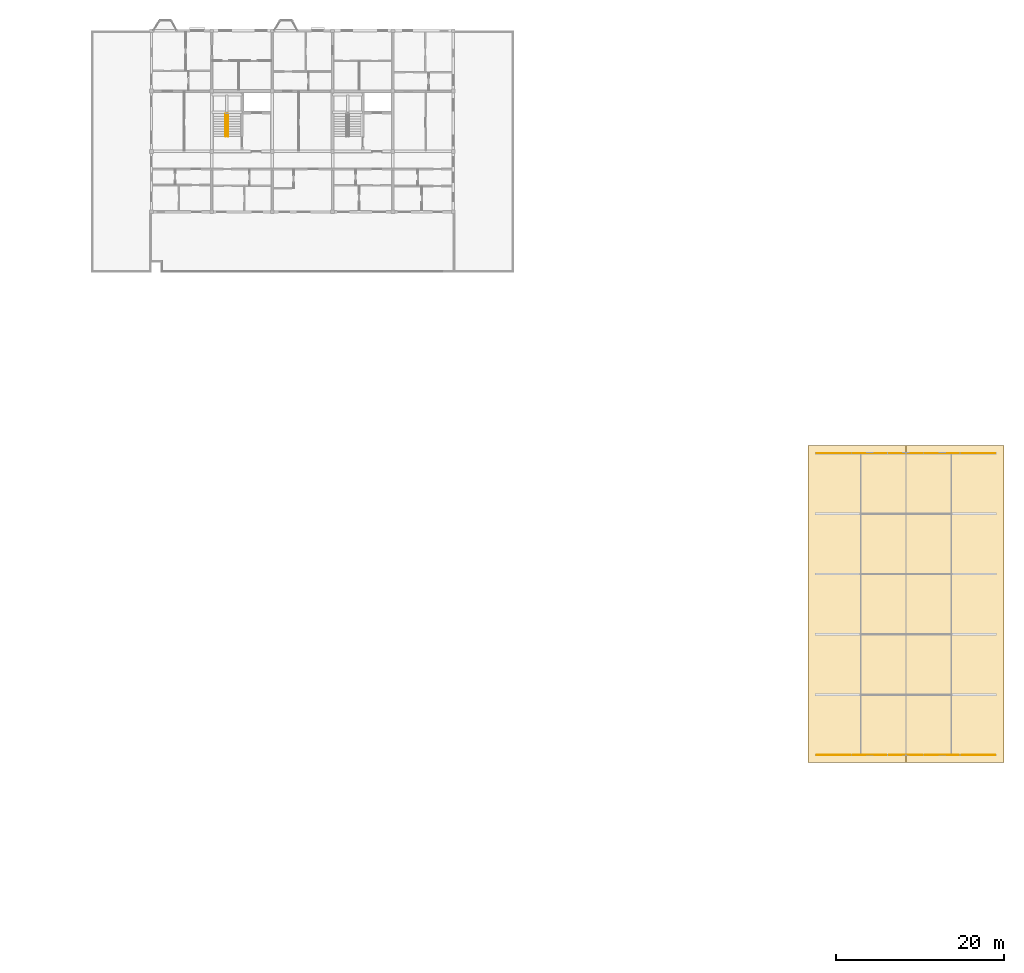
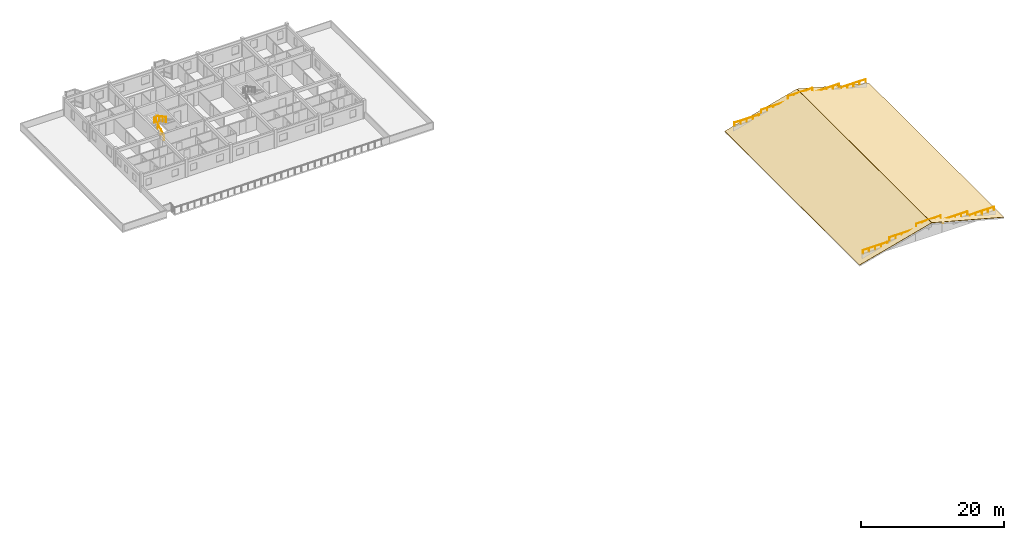
# One storey, part 39 of 40: 12 railings, 2 coverings.
"""IFC4 building model written with IfcOpenShell, lengths in metres."""

from ifc_helpers import new_model, si_unit, direction, frame, origin, origin_2d, place, context, subcontext, project, spatial, polyline, circle, outline, extrude, material, layer, layer_set, type_object, element, save


model = new_model("IFC4")

# Units and contexts
model_context = context("Model", 3, precision=1e-05, world=origin(), true_north=direction((0.0, 1.0)))
body_context = subcontext(model_context, "Body", "Model", "MODEL_VIEW")
ifc_project = project(units=[si_unit("LENGTHUNIT", "METRE"), si_unit("AREAUNIT", "SQUARE_METRE"), si_unit("VOLUMEUNIT", "CUBIC_METRE"), si_unit("PLANEANGLEUNIT", "RADIAN"), si_unit("MASSUNIT", "GRAM", prefix="KILO"), si_unit("THERMODYNAMICTEMPERATUREUNIT", "KELVIN"), si_unit("POWERUNIT", "WATT")], contexts=[model_context])

# Site, building, storey
site_placement = place(None, origin())
site = spatial("IfcSite", under=ifc_project, at=site_placement, CompositionType="ELEMENT")
building_placement = place(site_placement, origin())
building = spatial("IfcBuilding", under=site, at=building_placement, Name="Tavuni Mirador Residences", CompositionType="ELEMENT")
storey_placement = place(building_placement, frame((0.0, 0.0, 36.0)))
storey = spatial("IfcBuildingStorey", under=building, at=storey_placement, Name="L11", CompositionType="ELEMENT", Elevation=36.0)

# Coverings
ifc_material_1 = material(Name="Glazed ceramic roof tile", Category="masonry")
ifc_layer = layer(ifc_material_1, 0.044921875, Name="Glazed ceramic roof tile", Category="masonry")
ifc_layer_set = layer_set([ifc_layer], Name="Glazed ceramic roof tile")
covering_type = type_object("IfcCoveringType", Name="CVT-ROOF-TILE", PredefinedType="ROOFING", material=ifc_layer_set)
for number, where, z_axis, x_axis, name in (
    (1, (96.300048828125, 85.5, -0.19677734375), (-0.259594385417, 0.0, 0.965717740885), (0.965717740885, 0.0, 0.259594385417), "COV-RF-BLK-D-W"),
    (2, (108.011962890625, 85.5, 2.945068359375), (0.259594385417, 0.0, 0.965717740885), (0.965717740885, 0.0, -0.259594385417), "COV-RF-BLK-D-E"),
):
    element("IfcCovering", number, at=place(storey_placement, frame(where, z_axis=z_axis, x_axis=x_axis)), inside=storey, type_object=covering_type, Name=name, PredefinedType="ROOFING", context=body_context, shape_type="SweptSolid", body=[
        extrude(outline(polyline([(0.0, 0.0), (12.10290314283653, 0.0), (12.10290314283653, 37.80004882812499), (0.0, 37.80004882812499), (0.0, 0.0)])), origin(), (0.0, 0.0, -1.0), 0.044921875),
    ])

# Railings
ifc_material_2 = material(Name="Structural steel S355", Category="steel")
railing_type_1 = type_object("IfcRailingType", Name="RT-CR650", PredefinedType="BALUSTRADE", material=ifc_material_2)
railing_1_placement = place(storey_placement, frame((97.3798828125, 86.39990234375, 0.800048828125)))
element("IfcRailing", 3, at=railing_1_placement, inside=storey, type_object=railing_type_1, Name="CREST-BLK-D-X0-0", PredefinedType="BALUSTRADE", context=body_context, shape_type="SweptSolid", body=[
    extrude(circle(Radius=0.02392578125, at=origin_2d()), frame((0.0, 0.0, 0.6259765625), z_axis=(1.0, 0.0, 0.0), x_axis=(0.0, 1.0, 0.0)), (0.0, 0.0, 1.0), 3.960205078125),
    extrude(circle(Radius=0.02099609375, at=origin_2d()), origin(), (0.0, 0.0, 1.0), 0.601806640625),
    extrude(circle(Radius=0.02099609375, at=origin_2d()), frame((0.989990234375, 0.0, 0.0)), (0.0, 0.0, 1.0), 0.601806640625),
    extrude(circle(Radius=0.02099609375, at=origin_2d()), frame((1.97998046875, 0.0, 0.0)), (0.0, 0.0, 1.0), 0.601806640625),
    extrude(circle(Radius=0.02099609375, at=origin_2d()), frame((2.97021484375, 0.0, 0.0)), (0.0, 0.0, 1.0), 0.601806640625),
    extrude(circle(Radius=0.02099609375, at=origin_2d()), frame((3.960205078125, 0.0, 0.0)), (0.0, 0.0, 1.0), 0.601806640625),
])
for number, where, name in (
    (4, (101.699951171875, 86.39990234375, 1.5), "CREST-BLK-D-X0-1"),
    (5, (106.02001953125, 86.39990234375, 2.300048828125), "CREST-BLK-D-X0-2"),
    (6, (110.340087890625, 86.39990234375, 1.5), "CREST-BLK-D-X0-3"),
):
    element("IfcRailing", number, at=place(storey_placement, frame(where)), inside=storey, type_object=railing_type_1, Name=name, PredefinedType="BALUSTRADE", context=body_context, shape_type="SweptSolid", body=[
        extrude(circle(Radius=0.02392578125, at=origin_2d()), frame((0.0, 0.0, 0.6259765625), z_axis=(1.0, 0.0, 0.0), x_axis=(0.0, 1.0, 0.0)), (0.0, 0.0, 1.0), 3.9599609375),
        extrude(circle(Radius=0.02099609375, at=origin_2d()), origin(), (0.0, 0.0, 1.0), 0.601806640625),
        extrude(circle(Radius=0.02099609375, at=origin_2d()), frame((0.989990234375, 0.0, 0.0)), (0.0, 0.0, 1.0), 0.601806640625),
        extrude(circle(Radius=0.02099609375, at=origin_2d()), frame((1.97998046875, 0.0, 0.0)), (0.0, 0.0, 1.0), 0.601806640625),
        extrude(circle(Radius=0.02099609375, at=origin_2d()), frame((2.969970703125, 0.0, 0.0)), (0.0, 0.0, 1.0), 0.601806640625),
        extrude(circle(Radius=0.02099609375, at=origin_2d()), frame((3.9599609375, 0.0, 0.0)), (0.0, 0.0, 1.0), 0.601806640625),
    ])
for number, where, name in (
    (7, (114.659912109375, 86.39990234375, 0.800048828125), "CREST-BLK-D-X0-4"),
    (8, (97.3798828125, 122.39990234375, 0.800048828125), "CREST-BLK-D-X1-0"),
):
    element("IfcRailing", number, at=place(storey_placement, frame(where)), inside=storey, type_object=railing_type_1, Name=name, PredefinedType="BALUSTRADE", context=body_context, shape_type="SweptSolid", body=[
        extrude(circle(Radius=0.02392578125, at=origin_2d()), frame((0.0, 0.0, 0.6259765625), z_axis=(1.0, 0.0, 0.0), x_axis=(0.0, 1.0, 0.0)), (0.0, 0.0, 1.0), 3.960205078125),
        extrude(circle(Radius=0.02099609375, at=origin_2d()), origin(), (0.0, 0.0, 1.0), 0.601806640625),
        extrude(circle(Radius=0.02099609375, at=origin_2d()), frame((0.989990234375, 0.0, 0.0)), (0.0, 0.0, 1.0), 0.601806640625),
        extrude(circle(Radius=0.02099609375, at=origin_2d()), frame((1.97998046875, 0.0, 0.0)), (0.0, 0.0, 1.0), 0.601806640625),
        extrude(circle(Radius=0.02099609375, at=origin_2d()), frame((2.97021484375, 0.0, 0.0)), (0.0, 0.0, 1.0), 0.601806640625),
        extrude(circle(Radius=0.02099609375, at=origin_2d()), frame((3.960205078125, 0.0, 0.0)), (0.0, 0.0, 1.0), 0.601806640625),
    ])
for number, where, name in (
    (9, (101.699951171875, 122.39990234375, 1.5), "CREST-BLK-D-X1-1"),
    (10, (106.02001953125, 122.39990234375, 2.300048828125), "CREST-BLK-D-X1-2"),
    (11, (110.340087890625, 122.39990234375, 1.5), "CREST-BLK-D-X1-3"),
):
    element("IfcRailing", number, at=place(storey_placement, frame(where)), inside=storey, type_object=railing_type_1, Name=name, PredefinedType="BALUSTRADE", context=body_context, shape_type="SweptSolid", body=[
        extrude(circle(Radius=0.02392578125, at=origin_2d()), frame((0.0, 0.0, 0.6259765625), z_axis=(1.0, 0.0, 0.0), x_axis=(0.0, 1.0, 0.0)), (0.0, 0.0, 1.0), 3.9599609375),
        extrude(circle(Radius=0.02099609375, at=origin_2d()), origin(), (0.0, 0.0, 1.0), 0.601806640625),
        extrude(circle(Radius=0.02099609375, at=origin_2d()), frame((0.989990234375, 0.0, 0.0)), (0.0, 0.0, 1.0), 0.601806640625),
        extrude(circle(Radius=0.02099609375, at=origin_2d()), frame((1.97998046875, 0.0, 0.0)), (0.0, 0.0, 1.0), 0.601806640625),
        extrude(circle(Radius=0.02099609375, at=origin_2d()), frame((2.969970703125, 0.0, 0.0)), (0.0, 0.0, 1.0), 0.601806640625),
        extrude(circle(Radius=0.02099609375, at=origin_2d()), frame((3.9599609375, 0.0, 0.0)), (0.0, 0.0, 1.0), 0.601806640625),
    ])
railing_2_placement = place(storey_placement, frame((114.659912109375, 122.39990234375, 0.800048828125)))
element("IfcRailing", 12, at=railing_2_placement, inside=storey, type_object=railing_type_1, Name="CREST-BLK-D-X1-4", PredefinedType="BALUSTRADE", context=body_context, shape_type="SweptSolid", body=[
    extrude(circle(Radius=0.02392578125, at=origin_2d()), frame((0.0, 0.0, 0.6259765625), z_axis=(1.0, 0.0, 0.0), x_axis=(0.0, 1.0, 0.0)), (0.0, 0.0, 1.0), 3.960205078125),
    extrude(circle(Radius=0.02099609375, at=origin_2d()), origin(), (0.0, 0.0, 1.0), 0.601806640625),
    extrude(circle(Radius=0.02099609375, at=origin_2d()), frame((0.989990234375, 0.0, 0.0)), (0.0, 0.0, 1.0), 0.601806640625),
    extrude(circle(Radius=0.02099609375, at=origin_2d()), frame((1.97998046875, 0.0, 0.0)), (0.0, 0.0, 1.0), 0.601806640625),
    extrude(circle(Radius=0.02099609375, at=origin_2d()), frame((2.97021484375, 0.0, 0.0)), (0.0, 0.0, 1.0), 0.601806640625),
    extrude(circle(Radius=0.02099609375, at=origin_2d()), frame((3.960205078125, 0.0, 0.0)), (0.0, 0.0, 1.0), 0.601806640625),
])
railing_type_2 = type_object("IfcRailingType", Name="RT-HR920", PredefinedType="HANDRAIL", material=ifc_material_2)
railing_3_placement = place(storey_placement, frame((26.85009765625, 160.199951171875, 0.157470703125)))
element("IfcRailing", 13, at=railing_3_placement, inside=storey, type_object=railing_type_2, Name="HR-ST5-L11-F1", PredefinedType="HANDRAIL", context=body_context, shape_type="SweptSolid", body=[
    extrude(circle(Radius=0.02392578125, at=origin_2d()), frame((0.0, 0.0, 0.89599609375), z_axis=(0.0, 0.885397079081, 0.464835468048), x_axis=(-1.0, 0.0, 0.0)), (0.0, 0.0, 1.0), 3.04931640625),
    extrude(circle(Radius=0.02099609375, at=origin_2d()), origin(), (0.0, 0.0, 1.0), 0.871826171875),
    extrude(circle(Radius=0.02099609375, at=origin_2d()), frame((0.0, 0.89990234375, 0.472412109375)), (0.0, 0.0, 1.0), 0.871826171875),
    extrude(circle(Radius=0.02099609375, at=origin_2d()), frame((0.0, 1.800048828125, 0.945068359375)), (0.0, 0.0, 1.0), 0.871826171875),
    extrude(circle(Radius=0.02099609375, at=origin_2d()), frame((0.0, 2.699951171875, 1.41748046875)), (0.0, 0.0, 1.0), 0.871826171875),
])
railing_4_placement = place(storey_placement, frame((27.14990234375, 162.89990234375, 1.732421875)))
element("IfcRailing", 14, at=railing_4_placement, inside=storey, type_object=railing_type_2, Name="HR-ST5-L11-F2", PredefinedType="HANDRAIL", context=body_context, shape_type="SweptSolid", body=[
    extrude(circle(Radius=0.02392578125, at=origin_2d()), frame((0.0, 0.0, 0.89599609375), z_axis=(0.0, -0.885397079081, 0.464835468048), x_axis=(1.0, 0.0, 0.0)), (0.0, 0.0, 1.0), 3.04931640625),
    extrude(circle(Radius=0.02099609375, at=origin_2d()), origin(), (0.0, 0.0, 1.0), 0.871826171875),
    extrude(circle(Radius=0.02099609375, at=origin_2d()), frame((0.0, -0.89990234375, 0.472412109375)), (0.0, 0.0, 1.0), 0.871826171875),
    extrude(circle(Radius=0.02099609375, at=origin_2d()), frame((0.0, -1.800048828125, 0.945068359375)), (0.0, 0.0, 1.0), 0.871826171875),
    extrude(circle(Radius=0.02099609375, at=origin_2d()), frame((0.0, -2.699951171875, 1.41748046875)), (0.0, 0.0, 1.0), 0.871826171875),
])

save(model, "model.ifc")
